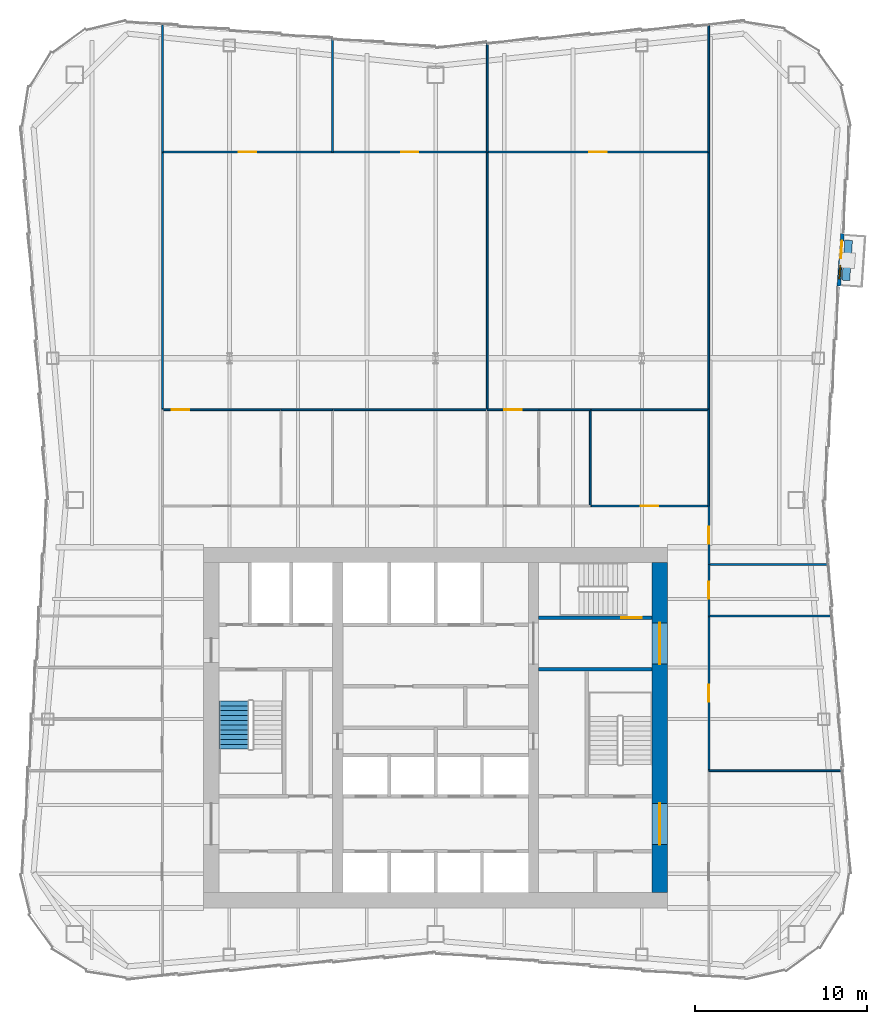
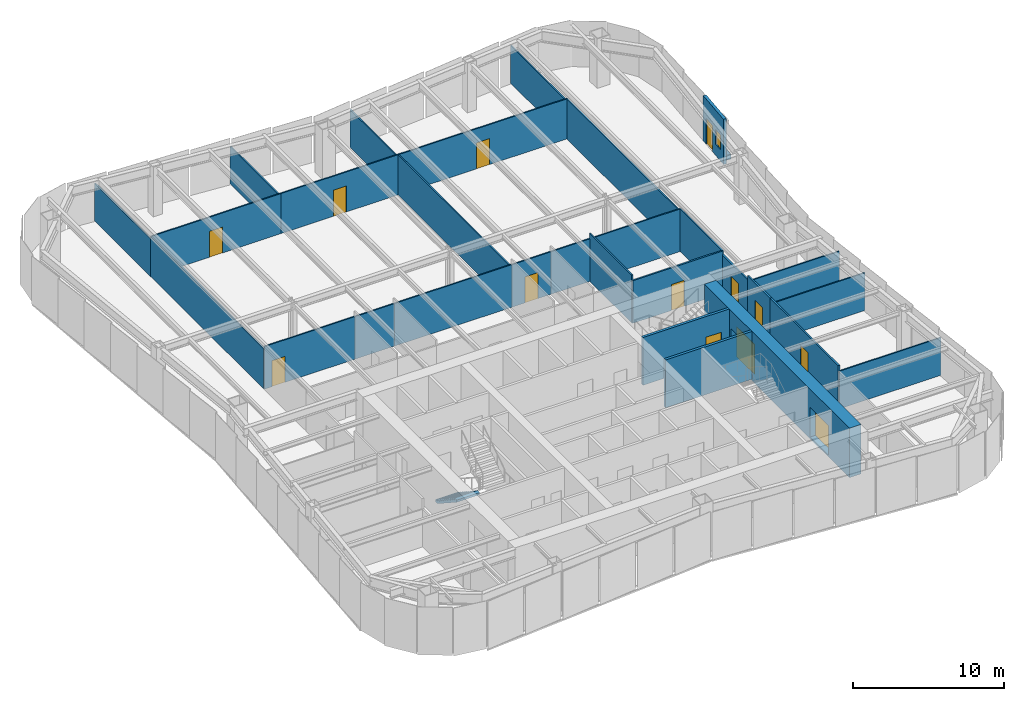
# One storey, part 7 of 10: 30 walls, 13 doors, 1 stair flight, 1 window, 14 openings, 1 element without a shape of its own.
"""IFC4 building model written with IfcOpenShell, lengths in metres."""

from ifc_helpers import new_model, si_unit, direction, frame, frame_2d, origin, place, context, subcontext, project, spatial, polyline, rectangle, outline, extrude, material, layer, layer_set, type_object, element, fill, aggregate, save


model = new_model("IFC4")

# Units and contexts
model_context = context("Model", 3, precision=1e-05, world=origin(), true_north=direction((0.0, 1.0)))
body_context = subcontext(model_context, "Body", "Model", "MODEL_VIEW")
ifc_project = project(units=[si_unit("LENGTHUNIT", "METRE"), si_unit("AREAUNIT", "SQUARE_METRE"), si_unit("VOLUMEUNIT", "CUBIC_METRE"), si_unit("PLANEANGLEUNIT", "RADIAN"), si_unit("MASSUNIT", "GRAM", prefix="KILO")], contexts=[model_context])

# Site, building, storey
site_placement = place(None, origin())
site = spatial("IfcSite", under=ifc_project, at=site_placement, CompositionType="ELEMENT")
building_placement = place(site_placement, origin())
building = spatial("IfcBuilding", under=site, at=building_placement, Name="Verdant Reach Tower", CompositionType="ELEMENT")
storey_placement = place(building_placement, frame((0.0, 0.0, 186.0)))
storey = spatial("IfcBuildingStorey", under=building, at=storey_placement, Name="L42", CompositionType="ELEMENT", Elevation=186.0)

# Wall
ifc_material_1 = material(Name="Concrete C40/50", Category="concrete")
ifc_layer_1 = layer(ifc_material_1, 0.199951171875)
ifc_layer_set_1 = layer_set([ifc_layer_1], Name="CO-WALL-STAIR")
wall_type_1 = type_object("IfcWallType", Name="CO-WALL-STAIR", PredefinedType="PARTITIONING", material=ifc_layer_set_1)
wall_1_placement = place(storey_placement, frame((6.0, 31.39990234375, 0.0), z_axis=(0.0, 0.0, 1.0), x_axis=(1.0, 0.0, 0.0)))
element("IfcWall", 1, at=wall_1_placement, inside=storey, type_object=wall_type_1, Name="Stair enclosure wall, L42", PredefinedType="PARTITIONING", context=body_context, shape_type="SweptSolid", body=[
    extrude(rectangle(XDim=6.60009765625, YDim=0.199951171875, at=frame_2d((3.300048828125, 0.0))), origin(), (0.0, 0.0, 1.0), 3.8701171875),
])

# Wall, opening, door
wall_2_placement = place(storey_placement, frame((6.0, 34.39990234375, 0.0), z_axis=(0.0, 0.0, 1.0), x_axis=(1.0, 0.0, 0.0)))
wall_2 = element("IfcWall", 2, at=wall_2_placement, inside=storey, type_object=wall_type_1, Name="Stair enclosure wall, L42", PredefinedType="PARTITIONING", context=body_context, shape_type="SweptSolid", body=[
    extrude(rectangle(XDim=6.60009765625, YDim=0.199951171875, at=frame_2d((3.300048828125, 0.0))), origin(), (0.0, 0.0, 1.0), 3.8701171875),
])
opening_1_placement = place(wall_2_placement, frame((4.800048828125, 0.0, 0.0)))
opening_1 = element("IfcOpeningElement", 3, at=opening_1_placement, cuts=wall_2, Name="Opening SD", PredefinedType="OPENING", context=body_context, shape_type="SweptSolid", body=[
    extrude(rectangle(XDim=1.199951171875, YDim=2.199951171875, at=frame_2d((0.60009765625, 1.10009765625))), frame((0.0, 0.10986328125, 0.0), z_axis=(0.0, -1.0, 0.0), x_axis=(1.0, 0.0, 0.0)), (0.0, 0.0, 1.0), 0.219970703125),
])
ifc_material_2 = material(Name="Steel", Category="steel")
door_type_1 = type_object("IfcDoorType", Name="CO-DOOR-STAIR", OperationType="NOTDEFINED", PredefinedType="DOOR", material=ifc_material_2)
door_1_placement = place(opening_1_placement, origin())
door_1 = element("IfcDoor", 4, at=door_1_placement, inside=storey, type_object=door_type_1, Name="Stair door, L42", OperationType="SINGLE_SWING_RIGHT", OverallHeight=2.199951171875, OverallWidth=1.199951171875, PredefinedType="DOOR", context=body_context, shape_type="SweptSolid", body=[
    extrude(rectangle(XDim=1.199951171875, YDim=2.199951171875, at=frame_2d((0.60009765625, 1.10009765625))), frame((0.0, 0.02490234375, 0.0), z_axis=(0.0, -1.0, 0.0), x_axis=(1.0, 0.0, 0.0)), (0.0, 0.0, 1.0), 0.050048828125),
])
fill(opening_1, door_1)

# Wall, openings, door, window
ifc_material_3 = material(Name="Insulated bronze aluminium panel wall", Category="aluminium")
ifc_layer_2 = layer(ifc_material_3, 0.219970703125)
ifc_layer_set_2 = layer_set([ifc_layer_2], Name="EN-INFILL WALL")
wall_type_2 = type_object("IfcWallType", Name="EN-INFILL WALL", PredefinedType="SOLIDWALL", material=ifc_layer_set_2)
wall_3_placement = place(storey_placement, frame((23.46826171875, 53.7041015625, 0.0), z_axis=(0.0, 0.0, 1.0), x_axis=(0.068793846076, 0.997630897047, 0.0)))
wall_3 = element("IfcWall", 5, at=wall_3_placement, inside=storey, type_object=wall_type_2, Name="External infill wall, balcony bay 1, L42", PredefinedType="SOLIDWALL", context=body_context, shape_type="SweptSolid", body=[
    extrude(rectangle(XDim=3.048583984375, YDim=0.218017578125, at=frame_2d((1.5244140625, 0.0))), origin(), (0.0, 0.0, 1.0), 3.64990234375),
])
opening_2_placement = place(wall_3_placement, frame((1.63232421875, 0.0, 0.0)))
opening_2 = element("IfcOpeningElement", 6, at=opening_2_placement, cuts=wall_3, Name="Opening BD1", PredefinedType="OPENING", context=body_context, shape_type="SweptSolid", body=[
    extrude(rectangle(XDim=1.0, YDim=2.10009765625, at=frame_2d((0.5, 1.050048828125))), frame((0.0, 0.118896484375, 0.0), z_axis=(0.0, -1.0, 0.0), x_axis=(1.0, 0.0, 0.0)), (0.0, 0.0, 1.0), 0.238037109375),
])
opening_3_placement = place(wall_3_placement, frame((0.416259765625, 0.0, 0.89990234375)))
opening_3 = element("IfcOpeningElement", 7, at=opening_3_placement, cuts=wall_3, Name="Opening BW1", PredefinedType="OPENING", context=body_context, shape_type="SweptSolid", body=[
    extrude(rectangle(XDim=0.800048828125, YDim=1.199951171875, at=frame_2d((0.39990234375, 0.60009765625))), frame((0.0, 0.118896484375, 0.0), z_axis=(0.0, -1.0, 0.0), x_axis=(1.0, 0.0, 0.0)), (0.0, 0.0, 1.0), 0.238037109375),
])
ifc_material_4 = material(Name="Aluminium framed glazed door", Category="aluminium")
door_type_2 = type_object("IfcDoorType", Name="EN-DOOR BALCONY", OperationType="NOTDEFINED", PredefinedType="DOOR", material=ifc_material_4)
door_2_placement = place(opening_2_placement, origin())
door_2 = element("IfcDoor", 8, at=door_2_placement, inside=storey, type_object=door_type_2, Name="Balcony door 1, L42", OperationType="SINGLE_SWING_RIGHT", OverallHeight=2.10009765625, OverallWidth=1.0, PredefinedType="DOOR", context=body_context, shape_type="SweptSolid", body=[
    extrude(rectangle(XDim=1.0, YDim=2.10009765625, at=frame_2d((0.5, 1.050048828125))), frame((0.0, 0.02490234375, 0.0), z_axis=(0.0, -1.0, 0.0), x_axis=(1.0, 0.0, 0.0)), (0.0, 0.0, 1.0), 0.050048828125),
])
fill(opening_2, door_2)
ifc_material_5 = material(Name="Aluminium framed glazing", Category="aluminium")
window_type = type_object("IfcWindowType", Name="EN-WINDOW BALCONY", PartitioningType="SINGLE_PANEL", PredefinedType="WINDOW", material=ifc_material_5)
window_placement = place(opening_3_placement, origin())
window = element("IfcWindow", 9, at=window_placement, inside=storey, type_object=window_type, Name="Balcony window 1, L42", OverallHeight=1.199951171875, OverallWidth=0.800048828125, PartitioningType="SINGLE_PANEL", PredefinedType="WINDOW", context=body_context, shape_type="SweptSolid", body=[
    extrude(rectangle(XDim=0.800048828125, YDim=1.199951171875, at=frame_2d((0.39990234375, 0.60009765625))), frame((0.0, 0.030029296875, 0.0), z_axis=(0.0, -1.0, 0.0), x_axis=(1.0, 0.0, 0.0)), (0.0, 0.0, 1.0), 0.06005859375),
])
fill(opening_3, window)

# Wall
ifc_material_6 = material(Name="Precast concrete C30/37", Category="concrete")
ifc_layer_3 = layer(ifc_material_6, 0.449951171875)
ifc_layer_set_3 = layer_set([ifc_layer_3], Name="EN-PLANTER")
wall_type_3 = type_object("IfcWallType", Name="EN-PLANTER", PredefinedType="USERDEFINED", material=ifc_layer_set_3)
wall_4_placement = place(storey_placement, frame((23.875244140625, 54.02685546875, 0.0), z_axis=(0.0, 0.0, 1.0), x_axis=(0.068823499363, 0.997628851796, 0.0)))
element("IfcWall", 10, at=wall_4_placement, inside=storey, type_object=wall_type_3, Name="Balcony planter 1, L42", ObjectType="PLANTER", PredefinedType="USERDEFINED", context=body_context, shape_type="SweptSolid", body=[
    extrude(rectangle(XDim=2.348388671875, YDim=0.449951171875, at=frame_2d((1.17431640625, 0.0))), origin(), (0.0, 0.0, 1.0), 0.39990234375),
])

# Wall, opening, door
ifc_material_7 = material(Name="Gypsum board on steel studs", Category="steel")
ifc_layer_4 = layer(ifc_material_7, 0.10009765625)
ifc_layer_set_4 = layer_set([ifc_layer_4], Name="FL-W1 Partition 100")
wall_type_4 = type_object("IfcWallType", Name="FL-W1 Partition 100", PredefinedType="PARTITIONING", material=ifc_layer_set_4)
wall_5_placement = place(storey_placement, frame((-15.89990234375, 46.5, 0.0), z_axis=(0.0, 0.0, 1.0), x_axis=(1.0, 0.0, 0.0)))
wall_5 = element("IfcWall", 11, at=wall_5_placement, inside=storey, type_object=wall_type_4, Name="Partition 42.17", PredefinedType="PARTITIONING", context=body_context, shape_type="SweptSolid", body=[
    extrude(rectangle(XDim=6.90380859375, YDim=0.10009765625, at=frame_2d((3.451904296875, 0.0))), origin(), (0.0, 0.0, 1.0), 3.43994140625),
])
opening_4_placement = place(wall_5_placement, frame((0.552001953125, 0.0, 0.0)))
opening_4 = element("IfcOpeningElement", 12, at=opening_4_placement, cuts=wall_5, Name="Opening D3", PredefinedType="OPENING", context=body_context, shape_type="SweptSolid", body=[
    extrude(rectangle(XDim=1.0, YDim=2.10009765625, at=frame_2d((0.5, 1.050048828125))), frame((0.0, 0.06005859375, 0.0), z_axis=(0.0, -1.0, 0.0), x_axis=(1.0, 0.0, 0.0)), (0.0, 0.0, 1.0), 0.1201171875),
])
ifc_material_8 = material(Name="Painted timber door leaf", Category="wood")
door_type_3 = type_object("IfcDoorType", Name="FL-D3 Door 1000x2100", OperationType="NOTDEFINED", PredefinedType="DOOR", material=ifc_material_8)
door_3_placement = place(opening_4_placement, origin())
door_3 = element("IfcDoor", 13, at=door_3_placement, inside=storey, type_object=door_type_3, Name="Door 42-015", OperationType="SINGLE_SWING_LEFT", OverallHeight=2.10009765625, OverallWidth=1.0, PredefinedType="DOOR", context=body_context, shape_type="SweptSolid", body=[
    extrude(rectangle(XDim=1.0, YDim=2.10009765625, at=frame_2d((0.5, 1.050048828125))), frame((0.0, 0.02490234375, 0.0), z_axis=(0.0, -1.0, 0.0), x_axis=(1.0, 0.0, 0.0)), (0.0, 0.0, 1.0), 0.050048828125),
])
fill(opening_4, door_3)

# Walls
wall_6_placement = place(storey_placement, frame((-5.99609375, 46.5, 0.0), z_axis=(0.0, 0.0, 1.0), x_axis=(-1.0, 0.0, 0.0)))
element("IfcWall", 14, at=wall_6_placement, inside=storey, type_object=wall_type_4, Name="Partition 42.20", PredefinedType="PARTITIONING", context=body_context, shape_type="SweptSolid", body=[
    extrude(rectangle(XDim=3.0078125, YDim=0.10009765625, at=frame_2d((1.50390625, 0.0))), origin(), (0.0, 0.0, 1.0), 3.43994140625),
])
wall_7_placement = place(storey_placement, frame((3.0, 46.5, 0.0), z_axis=(0.0, 0.0, 1.0), x_axis=(-1.0, 0.0, 0.0)))
element("IfcWall", 15, at=wall_7_placement, inside=storey, type_object=wall_type_4, Name="Partition 42.21", PredefinedType="PARTITIONING", context=body_context, shape_type="SweptSolid", body=[
    extrude(rectangle(XDim=9.00390625, YDim=0.10009765625, at=frame_2d((4.501953125, 0.0))), origin(), (0.0, 0.0, 1.0), 3.43994140625),
])

# Wall, opening, door
wall_8_placement = place(storey_placement, frame((-15.89990234375, 61.5, 0.0), z_axis=(0.0, 0.0, 1.0), x_axis=(1.0, 0.0, 0.0)))
wall_8 = element("IfcWall", 16, at=wall_8_placement, inside=storey, type_object=wall_type_4, Name="Partition 42.23", PredefinedType="PARTITIONING", context=body_context, shape_type="SweptSolid", body=[
    extrude(rectangle(XDim=9.89990234375, YDim=0.10009765625, at=frame_2d((4.949951171875, 0.0))), origin(), (0.0, 0.0, 1.0), 3.239990234375),
])
opening_5_placement = place(wall_8_placement, frame((4.449951171875, 0.0, 0.0)))
opening_5 = element("IfcOpeningElement", 17, at=opening_5_placement, cuts=wall_8, Name="Opening D3", PredefinedType="OPENING", context=body_context, shape_type="SweptSolid", body=[
    extrude(rectangle(XDim=1.0, YDim=2.10009765625, at=frame_2d((0.5, 1.050048828125))), frame((0.0, 0.06005859375, 0.0), z_axis=(0.0, -1.0, 0.0), x_axis=(1.0, 0.0, 0.0)), (0.0, 0.0, 1.0), 0.1201171875),
])
door_4_placement = place(opening_5_placement, origin())
door_4 = element("IfcDoor", 18, at=door_4_placement, inside=storey, type_object=door_type_3, Name="Door 42-016", OperationType="SINGLE_SWING_RIGHT", OverallHeight=2.10009765625, OverallWidth=1.0, PredefinedType="DOOR", context=body_context, shape_type="SweptSolid", body=[
    extrude(rectangle(XDim=1.0, YDim=2.10009765625, at=frame_2d((0.5, 1.050048828125))), frame((0.0, 0.02490234375, 0.0), z_axis=(0.0, -1.0, 0.0), x_axis=(1.0, 0.0, 0.0)), (0.0, 0.0, 1.0), 0.050048828125),
])
fill(opening_5, door_4)

wall_9_placement = place(storey_placement, frame((-6.0, 61.5, 0.0), z_axis=(0.0, 0.0, 1.0), x_axis=(1.0, 0.0, 0.0)))
wall_9 = element("IfcWall", 19, at=wall_9_placement, inside=storey, type_object=wall_type_4, Name="Partition 42.24", PredefinedType="PARTITIONING", context=body_context, shape_type="SweptSolid", body=[
    extrude(rectangle(XDim=9.0, YDim=0.10009765625, at=frame_2d((4.5, 0.0))), origin(), (0.0, 0.0, 1.0), 3.239990234375),
])
opening_6_placement = place(wall_9_placement, frame((4.0, 0.0, 0.0)))
opening_6 = element("IfcOpeningElement", 20, at=opening_6_placement, cuts=wall_9, Name="Opening D3", PredefinedType="OPENING", context=body_context, shape_type="SweptSolid", body=[
    extrude(rectangle(XDim=1.0, YDim=2.10009765625, at=frame_2d((0.5, 1.050048828125))), frame((0.0, 0.06005859375, 0.0), z_axis=(0.0, -1.0, 0.0), x_axis=(1.0, 0.0, 0.0)), (0.0, 0.0, 1.0), 0.1201171875),
])
door_5_placement = place(opening_6_placement, origin())
door_5 = element("IfcDoor", 21, at=door_5_placement, inside=storey, type_object=door_type_3, Name="Door 42-017", OperationType="SINGLE_SWING_LEFT", OverallHeight=2.10009765625, OverallWidth=1.0, PredefinedType="DOOR", context=body_context, shape_type="SweptSolid", body=[
    extrude(rectangle(XDim=1.0, YDim=2.10009765625, at=frame_2d((0.5, 1.050048828125))), frame((0.0, 0.02490234375, 0.0), z_axis=(0.0, -1.0, 0.0), x_axis=(1.0, 0.0, 0.0)), (0.0, 0.0, 1.0), 0.050048828125),
])
fill(opening_6, door_5)

# Walls
wall_10_placement = place(storey_placement, frame((3.0, 46.5, 0.0), z_axis=(0.0, 0.0, 1.0), x_axis=(0.0, 1.0, 0.0)))
element("IfcWall", 22, at=wall_10_placement, inside=storey, type_object=wall_type_4, Name="Partition 42.25", PredefinedType="PARTITIONING", context=body_context, shape_type="SweptSolid", body=[
    extrude(rectangle(XDim=15.0, YDim=0.10009765625, at=frame_2d((7.5, 0.0))), origin(), (0.0, 0.0, 1.0), 3.239990234375),
])
wall_11_placement = place(storey_placement, frame((-15.89990234375, 61.50390625, 0.0), z_axis=(0.0, 0.0, 1.0), x_axis=(0.0, -1.0, 0.0)))
element("IfcWall", 23, at=wall_11_placement, inside=storey, type_object=wall_type_4, Name="Partition 42.26", PredefinedType="PARTITIONING", context=body_context, shape_type="SweptSolid", body=[
    extrude(rectangle(XDim=15.0078125, YDim=0.10009765625, at=frame_2d((7.50390625, 0.0))), origin(), (0.0, 0.0, 1.0), 3.239990234375),
])
wall_12_placement = place(storey_placement, frame((-6.0, 61.5, 0.0), z_axis=(0.0, 0.0, 1.0), x_axis=(0.0, 1.0, 0.0)))
element("IfcWall", 24, at=wall_12_placement, inside=storey, type_object=wall_type_4, Name="Partition 42.27", PredefinedType="PARTITIONING", context=body_context, shape_type="SweptSolid", body=[
    extrude(rectangle(XDim=6.580078125, YDim=0.10009765625, at=frame_2d((3.2900390625, 0.0))), origin(), (0.0, 0.0, 1.0), 3.0400390625),
])
wall_13_placement = place(storey_placement, frame((-15.89990234375, 68.905029296875, 0.0), z_axis=(0.0, 0.0, 1.0), x_axis=(0.0, -1.0, 0.0)))
element("IfcWall", 25, at=wall_13_placement, inside=storey, type_object=wall_type_4, Name="Partition 42.28", PredefinedType="PARTITIONING", context=body_context, shape_type="SweptSolid", body=[
    extrude(rectangle(XDim=7.408935546875, YDim=0.10009765625, at=frame_2d((3.70458984375, 0.0))), origin(), (0.0, 0.0, 1.0), 3.0400390625),
])
wall_14_placement = place(storey_placement, frame((3.0, 61.5, 0.0), z_axis=(0.0, 0.0, 1.0), x_axis=(0.0, 1.0, 0.0)))
element("IfcWall", 26, at=wall_14_placement, inside=storey, type_object=wall_type_4, Name="Partition 42.29", PredefinedType="PARTITIONING", context=body_context, shape_type="SweptSolid", body=[
    extrude(rectangle(XDim=6.330078125, YDim=0.10009765625, at=frame_2d((3.1650390625, 0.0))), origin(), (0.0, 0.0, 1.0), 3.0400390625),
])

# Wall, opening, door
wall_15_placement = place(storey_placement, frame((3.0, 46.5, 0.0), z_axis=(0.0, 0.0, 1.0), x_axis=(1.0, 0.0, 0.0)))
wall_15 = element("IfcWall", 27, at=wall_15_placement, inside=storey, type_object=wall_type_4, Name="Partition 42.31", PredefinedType="PARTITIONING", context=body_context, shape_type="SweptSolid", body=[
    extrude(rectangle(XDim=3.00390625, YDim=0.10009765625, at=frame_2d((1.501953125, 0.0))), origin(), (0.0, 0.0, 1.0), 3.43994140625),
])
opening_7_placement = place(wall_15_placement, frame((1.001953125, 0.0, 0.0)))
opening_7 = element("IfcOpeningElement", 28, at=opening_7_placement, cuts=wall_15, Name="Opening D3", PredefinedType="OPENING", context=body_context, shape_type="SweptSolid", body=[
    extrude(rectangle(XDim=1.0, YDim=2.10009765625, at=frame_2d((0.5, 1.050048828125))), frame((0.0, 0.06005859375, 0.0), z_axis=(0.0, -1.0, 0.0), x_axis=(1.0, 0.0, 0.0)), (0.0, 0.0, 1.0), 0.1201171875),
])
door_6_placement = place(opening_7_placement, origin())
door_6 = element("IfcDoor", 29, at=door_6_placement, inside=storey, type_object=door_type_3, Name="Door 42-019", OperationType="SINGLE_SWING_LEFT", OverallHeight=2.10009765625, OverallWidth=1.0, PredefinedType="DOOR", context=body_context, shape_type="SweptSolid", body=[
    extrude(rectangle(XDim=1.0, YDim=2.10009765625, at=frame_2d((0.5, 1.050048828125))), frame((0.0, 0.02490234375, 0.0), z_axis=(0.0, -1.0, 0.0), x_axis=(1.0, 0.0, 0.0)), (0.0, 0.0, 1.0), 0.050048828125),
])
fill(opening_7, door_6)

# Walls
wall_16_placement = place(storey_placement, frame((9.0, 40.89990234375, 0.0), z_axis=(0.0, 0.0, 1.0), x_axis=(0.0, 1.0, 0.0)))
element("IfcWall", 30, at=wall_16_placement, inside=storey, type_object=wall_type_4, Name="Partition 42.32", PredefinedType="PARTITIONING", context=body_context, shape_type="SweptSolid", body=[
    extrude(rectangle(XDim=5.60009765625, YDim=0.10009765625, at=frame_2d((2.800048828125, 0.0))), origin(), (0.0, 0.0, 1.0), 3.8701171875),
])
wall_17_placement = place(storey_placement, frame((9.00390625, 46.5, 0.0), z_axis=(0.0, 0.0, 1.0), x_axis=(-1.0, 0.0, 0.0)))
element("IfcWall", 31, at=wall_17_placement, inside=storey, type_object=wall_type_4, Name="Partition 42.33", PredefinedType="PARTITIONING", context=body_context, shape_type="SweptSolid", body=[
    extrude(rectangle(XDim=3.0078125, YDim=0.10009765625, at=frame_2d((1.50390625, 0.0))), origin(), (0.0, 0.0, 1.0), 3.43994140625),
])
wall_18_placement = place(storey_placement, frame((15.89990234375, 46.5, 0.0), z_axis=(0.0, 0.0, 1.0), x_axis=(-1.0, 0.0, 0.0)))
element("IfcWall", 32, at=wall_18_placement, inside=storey, type_object=wall_type_4, Name="Partition 42.34", PredefinedType="PARTITIONING", context=body_context, shape_type="SweptSolid", body=[
    extrude(rectangle(XDim=6.90380859375, YDim=0.10009765625, at=frame_2d((3.451904296875, 0.0))), origin(), (0.0, 0.0, 1.0), 3.43994140625),
])
wall_19_placement = place(storey_placement, frame((15.89990234375, 40.89599609375, 0.0), z_axis=(0.0, 0.0, 1.0), x_axis=(0.0, 1.0, 0.0)))
element("IfcWall", 33, at=wall_19_placement, inside=storey, type_object=wall_type_4, Name="Partition 42.35", PredefinedType="PARTITIONING", context=body_context, shape_type="SweptSolid", body=[
    extrude(rectangle(XDim=5.60791015625, YDim=0.10009765625, at=frame_2d((2.803955078125, 0.0))), origin(), (0.0, 0.0, 1.0), 3.43994140625),
])

# Wall, opening, door
wall_20_placement = place(storey_placement, frame((3.0, 61.5, 0.0), z_axis=(0.0, 0.0, 1.0), x_axis=(1.0, 0.0, 0.0)))
wall_20 = element("IfcWall", 34, at=wall_20_placement, inside=storey, type_object=wall_type_4, Name="Partition 42.36", PredefinedType="PARTITIONING", context=body_context, shape_type="SweptSolid", body=[
    extrude(rectangle(XDim=12.89990234375, YDim=0.10009765625, at=frame_2d((6.449951171875, 0.0))), origin(), (0.0, 0.0, 1.0), 3.239990234375),
])
opening_8_placement = place(wall_20_placement, frame((5.949951171875, 0.0, 0.0)))
opening_8 = element("IfcOpeningElement", 35, at=opening_8_placement, cuts=wall_20, Name="Opening D3", PredefinedType="OPENING", context=body_context, shape_type="SweptSolid", body=[
    extrude(rectangle(XDim=1.0, YDim=2.10009765625, at=frame_2d((0.5, 1.050048828125))), frame((0.0, 0.06005859375, 0.0), z_axis=(0.0, -1.0, 0.0), x_axis=(1.0, 0.0, 0.0)), (0.0, 0.0, 1.0), 0.1201171875),
])
door_7_placement = place(opening_8_placement, origin())
door_7 = element("IfcDoor", 36, at=door_7_placement, inside=storey, type_object=door_type_3, Name="Door 42-020", OperationType="SINGLE_SWING_RIGHT", OverallHeight=2.10009765625, OverallWidth=1.0, PredefinedType="DOOR", context=body_context, shape_type="SweptSolid", body=[
    extrude(rectangle(XDim=1.0, YDim=2.10009765625, at=frame_2d((0.5, 1.050048828125))), frame((0.0, 0.02490234375, 0.0), z_axis=(0.0, -1.0, 0.0), x_axis=(1.0, 0.0, 0.0)), (0.0, 0.0, 1.0), 0.050048828125),
])
fill(opening_8, door_7)

# Walls
wall_21_placement = place(storey_placement, frame((15.89990234375, 46.49609375, 0.0), z_axis=(0.0, 0.0, 1.0), x_axis=(0.0, 1.0, 0.0)))
element("IfcWall", 37, at=wall_21_placement, inside=storey, type_object=wall_type_4, Name="Partition 42.37", PredefinedType="PARTITIONING", context=body_context, shape_type="SweptSolid", body=[
    extrude(rectangle(XDim=15.0078125, YDim=0.10009765625, at=frame_2d((7.50390625, 0.0))), origin(), (0.0, 0.0, 1.0), 3.239990234375),
])
wall_22_placement = place(storey_placement, frame((15.89990234375, 61.49609375, 0.0), z_axis=(0.0, 0.0, 1.0), x_axis=(0.0, 1.0, 0.0)))
element("IfcWall", 38, at=wall_22_placement, inside=storey, type_object=wall_type_4, Name="Partition 42.38", PredefinedType="PARTITIONING", context=body_context, shape_type="SweptSolid", body=[
    extrude(rectangle(XDim=7.408935546875, YDim=0.10009765625, at=frame_2d((3.70458984375, 0.0))), origin(), (0.0, 0.0, 1.0), 3.0400390625),
])
wall_23_placement = place(storey_placement, frame((23.666259765625, 25.5, 0.0), z_axis=(0.0, 0.0, 1.0), x_axis=(-1.0, 0.0, 0.0)))
element("IfcWall", 39, at=wall_23_placement, inside=storey, type_object=wall_type_4, Name="Partition 42.43", PredefinedType="PARTITIONING", context=body_context, shape_type="SweptSolid", body=[
    extrude(rectangle(XDim=7.766357421875, YDim=0.10009765625, at=frame_2d((3.88330078125, 0.0))), origin(), (0.0, 0.0, 1.0), 3.0400390625),
])
wall_24_placement = place(storey_placement, frame((23.04541015625, 34.5, 0.0), z_axis=(0.0, 0.0, 1.0), x_axis=(-1.0, 0.0, 0.0)))
element("IfcWall", 40, at=wall_24_placement, inside=storey, type_object=wall_type_4, Name="Partition 42.44", PredefinedType="PARTITIONING", context=body_context, shape_type="SweptSolid", body=[
    extrude(rectangle(XDim=7.1455078125, YDim=0.10009765625, at=frame_2d((3.57275390625, 0.0))), origin(), (0.0, 0.0, 1.0), 3.0400390625),
])
wall_25_placement = place(storey_placement, frame((22.838623046875, 37.5, 0.0), z_axis=(0.0, 0.0, 1.0), x_axis=(-1.0, 0.0, 0.0)))
element("IfcWall", 41, at=wall_25_placement, inside=storey, type_object=wall_type_4, Name="Partition 42.45", PredefinedType="PARTITIONING", context=body_context, shape_type="SweptSolid", body=[
    extrude(rectangle(XDim=6.938720703125, YDim=0.10009765625, at=frame_2d((3.46923828125, 0.0))), origin(), (0.0, 0.0, 1.0), 3.0400390625),
])

# Wall, opening, door
ifc_material_9 = material(Name="Gypsum board on steel studs, fire rated", Category="steel")
ifc_layer_5 = layer(ifc_material_9, 0.125)
ifc_layer_set_5 = layer_set([ifc_layer_5], Name="FL-W2 Corridor wall 125")
wall_type_5 = type_object("IfcWallType", Name="FL-W2 Corridor wall 125", PredefinedType="PARTITIONING", material=ifc_layer_set_5)
wall_26_placement = place(storey_placement, frame((9.0, 40.89990234375, 0.0), z_axis=(0.0, 0.0, 1.0), x_axis=(1.0, 0.0, 0.0)))
wall_26 = element("IfcWall", 42, at=wall_26_placement, inside=storey, type_object=wall_type_5, Name="Partition 42.06", PredefinedType="PARTITIONING", context=body_context, shape_type="SweptSolid", body=[
    extrude(rectangle(XDim=6.89990234375, YDim=0.125, at=frame_2d((3.449951171875, 0.0))), origin(), (0.0, 0.0, 1.0), 3.43994140625),
])
opening_9_placement = place(wall_26_placement, frame((2.949951171875, 0.0, 0.0)))
opening_9 = element("IfcOpeningElement", 43, at=opening_9_placement, cuts=wall_26, Name="Opening D2", PredefinedType="OPENING", context=body_context, shape_type="SweptSolid", body=[
    extrude(rectangle(XDim=1.0, YDim=2.10009765625, at=frame_2d((0.5, 1.050048828125))), frame((0.0, 0.072509765625, 0.0), z_axis=(0.0, -1.0, 0.0), x_axis=(1.0, 0.0, 0.0)), (0.0, 0.0, 1.0), 0.14501953125),
])
ifc_material_10 = material(Name="Timber door leaf, fire rated", Category="wood")
door_type_4 = type_object("IfcDoorType", Name="FL-D2 Entrance door 1000x2100 FD30", OperationType="NOTDEFINED", PredefinedType="DOOR", material=ifc_material_10)
door_8_placement = place(opening_9_placement, origin())
door_8 = element("IfcDoor", 44, at=door_8_placement, inside=storey, type_object=door_type_4, Name="Door 42-004", OperationType="SINGLE_SWING_RIGHT", OverallHeight=2.10009765625, OverallWidth=1.0, PredefinedType="DOOR", context=body_context, shape_type="SweptSolid", body=[
    extrude(rectangle(XDim=1.0, YDim=2.10009765625, at=frame_2d((0.5, 1.050048828125))), frame((0.0, 0.02490234375, 0.0), z_axis=(0.0, -1.0, 0.0), x_axis=(1.0, 0.0, 0.0)), (0.0, 0.0, 1.0), 0.050048828125),
])
fill(opening_9, door_8)

wall_27_placement = place(storey_placement, frame((15.89990234375, 34.5, 0.0), z_axis=(0.0, 0.0, 1.0), x_axis=(0.0, -1.0, 0.0)))
wall_27 = element("IfcWall", 45, at=wall_27_placement, inside=storey, type_object=wall_type_5, Name="Partition 42.13", PredefinedType="PARTITIONING", context=body_context, shape_type="SweptSolid", body=[
    extrude(rectangle(XDim=9.0, YDim=0.125, at=frame_2d((4.5, 0.0))), origin(), (0.0, 0.0, 1.0), 3.47998046875),
])
opening_10_placement = place(wall_27_placement, frame((4.0, 0.0, 0.0)))
opening_10 = element("IfcOpeningElement", 46, at=opening_10_placement, cuts=wall_27, Name="Opening D2", PredefinedType="OPENING", context=body_context, shape_type="SweptSolid", body=[
    extrude(rectangle(XDim=1.0, YDim=2.10009765625, at=frame_2d((0.5, 1.050048828125))), frame((0.0, 0.072509765625, 0.0), z_axis=(0.0, -1.0, 0.0), x_axis=(1.0, 0.0, 0.0)), (0.0, 0.0, 1.0), 0.14501953125),
])
door_9_placement = place(opening_10_placement, origin())
door_9 = element("IfcDoor", 47, at=door_9_placement, inside=storey, type_object=door_type_4, Name="Door 42-011", OperationType="SINGLE_SWING_LEFT", OverallHeight=2.10009765625, OverallWidth=1.0, PredefinedType="DOOR", context=body_context, shape_type="SweptSolid", body=[
    extrude(rectangle(XDim=1.0, YDim=2.10009765625, at=frame_2d((0.5, 1.050048828125))), frame((0.0, 0.02490234375, 0.0), z_axis=(0.0, -1.0, 0.0), x_axis=(1.0, 0.0, 0.0)), (0.0, 0.0, 1.0), 0.050048828125),
])
fill(opening_10, door_9)

wall_28_placement = place(storey_placement, frame((15.89990234375, 37.5, 0.0), z_axis=(0.0, 0.0, 1.0), x_axis=(0.0, -1.0, 0.0)))
wall_28 = element("IfcWall", 48, at=wall_28_placement, inside=storey, type_object=wall_type_5, Name="Partition 42.14", PredefinedType="PARTITIONING", context=body_context, shape_type="SweptSolid", body=[
    extrude(rectangle(XDim=3.0, YDim=0.125, at=frame_2d((1.5, 0.0))), origin(), (0.0, 0.0, 1.0), 3.47998046875),
])
opening_11_placement = place(wall_28_placement, frame((1.0, 0.0, 0.0)))
opening_11 = element("IfcOpeningElement", 49, at=opening_11_placement, cuts=wall_28, Name="Opening D2", PredefinedType="OPENING", context=body_context, shape_type="SweptSolid", body=[
    extrude(rectangle(XDim=1.0, YDim=2.10009765625, at=frame_2d((0.5, 1.050048828125))), frame((0.0, 0.072509765625, 0.0), z_axis=(0.0, -1.0, 0.0), x_axis=(1.0, 0.0, 0.0)), (0.0, 0.0, 1.0), 0.14501953125),
])
door_10_placement = place(opening_11_placement, origin())
door_10 = element("IfcDoor", 50, at=door_10_placement, inside=storey, type_object=door_type_4, Name="Door 42-012", OperationType="SINGLE_SWING_RIGHT", OverallHeight=2.10009765625, OverallWidth=1.0, PredefinedType="DOOR", context=body_context, shape_type="SweptSolid", body=[
    extrude(rectangle(XDim=1.0, YDim=2.10009765625, at=frame_2d((0.5, 1.050048828125))), frame((0.0, 0.02490234375, 0.0), z_axis=(0.0, -1.0, 0.0), x_axis=(1.0, 0.0, 0.0)), (0.0, 0.0, 1.0), 0.050048828125),
])
fill(opening_11, door_10)

wall_29_placement = place(storey_placement, frame((15.89990234375, 40.904052734375, 0.0), z_axis=(0.0, 0.0, 1.0), x_axis=(0.0, -1.0, 0.0)))
wall_29 = element("IfcWall", 51, at=wall_29_placement, inside=storey, type_object=wall_type_5, Name="Partition 42.15", PredefinedType="PARTITIONING", context=body_context, shape_type="SweptSolid", body=[
    extrude(rectangle(XDim=3.404052734375, YDim=0.125, at=frame_2d((1.7021484375, 0.0))), origin(), (0.0, 0.0, 1.0), 3.139892578125),
])
opening_12_placement = place(wall_29_placement, frame((1.201904296875, 0.0, 0.0)))
opening_12 = element("IfcOpeningElement", 52, at=opening_12_placement, cuts=wall_29, Name="Opening D2", PredefinedType="OPENING", context=body_context, shape_type="SweptSolid", body=[
    extrude(rectangle(XDim=1.0, YDim=2.10009765625, at=frame_2d((0.5, 1.050048828125))), frame((0.0, 0.072509765625, 0.0), z_axis=(0.0, -1.0, 0.0), x_axis=(1.0, 0.0, 0.0)), (0.0, 0.0, 1.0), 0.14501953125),
])
door_11_placement = place(opening_12_placement, origin())
door_11 = element("IfcDoor", 53, at=door_11_placement, inside=storey, type_object=door_type_4, Name="Door 42-013", OperationType="SINGLE_SWING_LEFT", OverallHeight=2.10009765625, OverallWidth=1.0, PredefinedType="DOOR", context=body_context, shape_type="SweptSolid", body=[
    extrude(rectangle(XDim=1.0, YDim=2.10009765625, at=frame_2d((0.5, 1.050048828125))), frame((0.0, 0.02490234375, 0.0), z_axis=(0.0, -1.0, 0.0), x_axis=(1.0, 0.0, 0.0)), (0.0, 0.0, 1.0), 0.050048828125),
])
fill(opening_12, door_11)

# Wall, openings, doors
ifc_material_11 = material(Name="Concrete C70/85", Category="concrete")
ifc_layer_6 = layer(ifc_material_11, 0.89990234375)
ifc_layer_set_6 = layer_set([ifc_layer_6], Name="ST-CORE-WALL-900")
wall_type_6 = type_object("IfcWallType", Name="ST-CORE-WALL-900", PredefinedType="SHEAR", material=ifc_layer_set_6)
wall_30_placement = place(storey_placement, frame((13.050048828125, 18.39990234375, -0.1298828125), z_axis=(0.0, 0.0, 1.0), x_axis=(0.0, 1.0, 0.0)))
wall_30 = element("IfcWall", 54, at=wall_30_placement, inside=storey, type_object=wall_type_6, Name="Core wall E, L42", PredefinedType="SHEAR", context=body_context, shape_type="SweptSolid", body=[
    extrude(rectangle(XDim=19.2001953125, YDim=0.89990234375, at=frame_2d((9.60009765625, 0.0))), origin(), (0.0, 0.0, 1.0), 4.0),
])
opening_13_placement = place(wall_30_placement, frame((2.800048828125, 0.0, 0.1298828125)))
opening_13 = element("IfcOpeningElement", 55, at=opening_13_placement, cuts=wall_30, Name="Opening LB", PredefinedType="OPENING", context=body_context, shape_type="SweptSolid", body=[
    extrude(rectangle(XDim=2.39990234375, YDim=2.39990234375, at=frame_2d((1.199951171875, 1.199951171875))), frame((0.0, 0.4599609375, 0.0), z_axis=(0.0, -1.0, 0.0), x_axis=(1.0, 0.0, 0.0)), (0.0, 0.0, 1.0), 0.919921875),
])
opening_14_placement = place(wall_30_placement, frame((13.300048828125, 0.0, 0.1298828125)))
opening_14 = element("IfcOpeningElement", 56, at=opening_14_placement, cuts=wall_30, Name="Opening LB", PredefinedType="OPENING", context=body_context, shape_type="SweptSolid", body=[
    extrude(rectangle(XDim=2.39990234375, YDim=2.39990234375, at=frame_2d((1.199951171875, 1.199951171875))), frame((0.0, 0.4599609375, 0.0), z_axis=(0.0, -1.0, 0.0), x_axis=(1.0, 0.0, 0.0)), (0.0, 0.0, 1.0), 0.919921875),
])
ifc_material_12 = material(Name="Glass and steel", Category="steel")
door_type_5 = type_object("IfcDoorType", Name="CO-DOOR-LOBBY", OperationType="DOUBLE_DOOR_SINGLE_SWING", PredefinedType="DOOR", material=ifc_material_12)
door_12_placement = place(opening_13_placement, origin())
door_12 = element("IfcDoor", 57, at=door_12_placement, inside=storey, type_object=door_type_5, Name="Core entrance door, L42", OperationType="DOUBLE_DOOR_SINGLE_SWING", OverallHeight=2.39990234375, OverallWidth=2.39990234375, PredefinedType="DOOR", context=body_context, shape_type="SweptSolid", body=[
    extrude(rectangle(XDim=2.39990234375, YDim=2.39990234375, at=frame_2d((1.199951171875, 1.199951171875))), frame((0.0, 0.02490234375, 0.0), z_axis=(0.0, -1.0, 0.0), x_axis=(1.0, 0.0, 0.0)), (0.0, 0.0, 1.0), 0.050048828125),
])
fill(opening_13, door_12)
door_13_placement = place(opening_14_placement, origin())
door_13 = element("IfcDoor", 58, at=door_13_placement, inside=storey, type_object=door_type_5, Name="Core entrance door, L42", OperationType="DOUBLE_DOOR_SINGLE_SWING", OverallHeight=2.39990234375, OverallWidth=2.39990234375, PredefinedType="DOOR", context=body_context, shape_type="SweptSolid", body=[
    extrude(rectangle(XDim=2.39990234375, YDim=2.39990234375, at=frame_2d((1.199951171875, 1.199951171875))), frame((0.0, 0.02490234375, 0.0), z_axis=(0.0, -1.0, 0.0), x_axis=(1.0, 0.0, 0.0)), (0.0, 0.0, 1.0), 0.050048828125),
])
fill(opening_14, door_13)

# Stair, stair flight
stair_type = type_object("IfcStairType", Name="CO-STAIR", PredefinedType="HALF_TURN_STAIR", material=ifc_material_1)
stair_placement = place(storey_placement, origin())
stair = element("IfcStair", 59, at=stair_placement, inside=storey, type_object=stair_type, Name="L42 Exit stair 1", PredefinedType="HALF_TURN_STAIR")
stair_flight_type = type_object("IfcStairFlightType", Name="CO-STAIR-FLIGHT", PredefinedType="STRAIGHT", material=ifc_material_1)
stair_flight_placement = place(storey_placement, frame((-11.72509765625, 29.550048828125, 0.0), z_axis=(0.0, 0.0, 1.0), x_axis=(0.0, -1.0, 0.0)))
stair_flight = element("IfcStairFlight", 60, at=stair_flight_placement, type_object=stair_flight_type, Name="ST-1 flight 1", NumberOfRisers=11, NumberOfTreads=10, PredefinedType="STRAIGHT", RiserHeight=0.181818182, TreadLength=0.28, context=body_context, shape_type="SweptSolid", body=[
    extrude(outline(polyline([(0.0, 0.0), (0.0, 0.181884765625), (0.280029296875, 0.181884765625), (0.280029296875, 0.363525390625), (0.56005859375, 0.363525390625), (0.56005859375, 0.54541015625), (0.840087890625, 0.54541015625), (0.840087890625, 0.727294921875), (1.1201171875, 0.727294921875), (1.1201171875, 0.9091796875), (1.39990234375, 0.9091796875), (1.39990234375, 1.0908203125), (1.679931640625, 1.0908203125), (1.679931640625, 1.272705078125), (1.9599609375, 1.272705078125), (1.9599609375, 1.45458984375), (2.239990234375, 1.45458984375), (2.239990234375, 1.636474609375), (2.52001953125, 1.636474609375), (2.52001953125, 1.818115234375), (2.800048828125, 1.818115234375), (2.800048828125, 2.0), (2.800048828125, 1.639404296875), (0.275146484375, 0.0), (0.0, 0.0)])), frame((0.0, 0.875, 0.0), z_axis=(0.0, -1.0, 0.0), x_axis=(1.0, 0.0, 0.0)), (0.0, 0.0, 1.0), 1.75),
])
aggregate(stair, [stair_flight])

save(model, "model.ifc")
